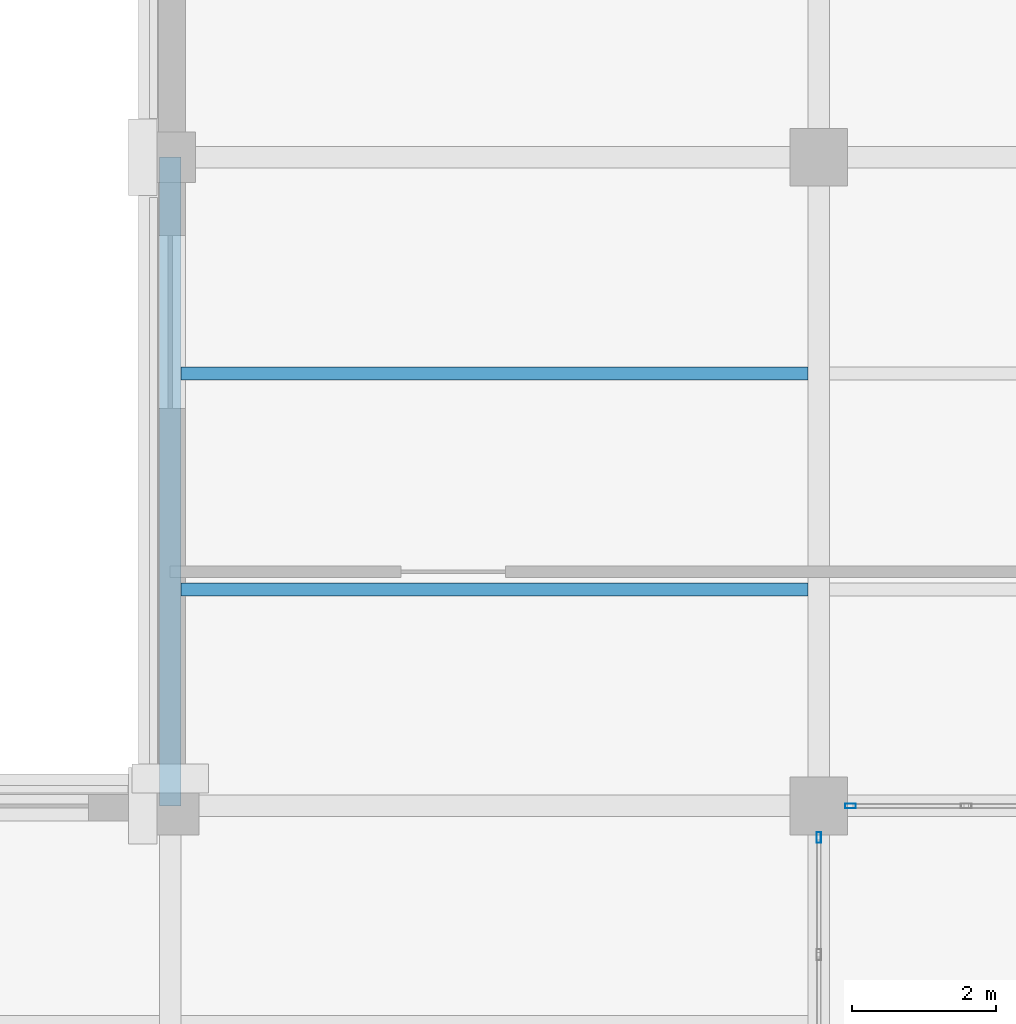
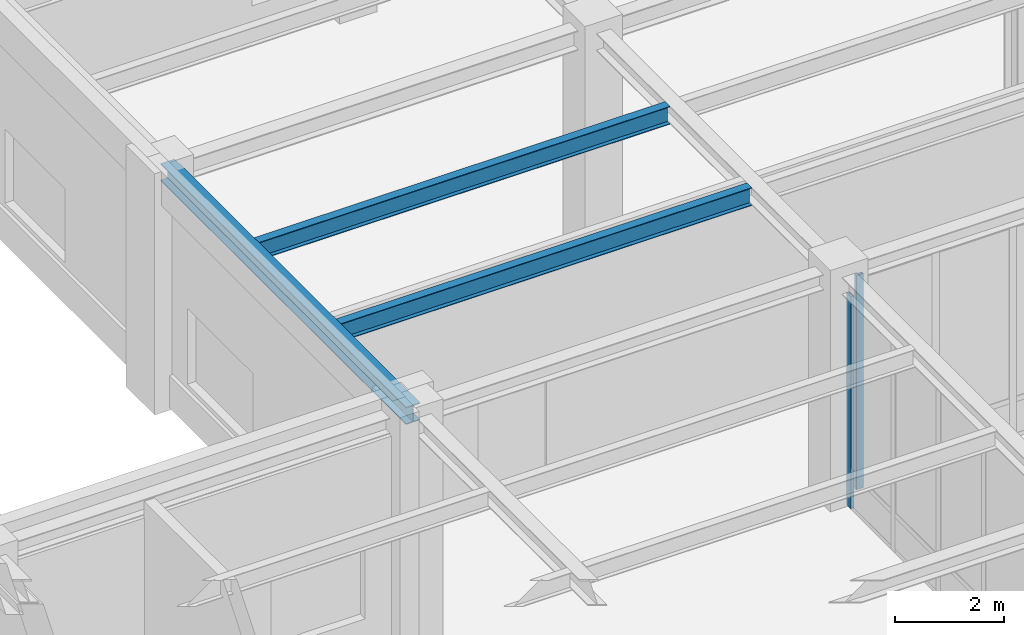
# One storey, part 47 of 77: 3 beams, 2 members, 2 elements without a shape of their own.
"""IFC4 building model written with IfcOpenShell, lengths in metres."""

import ifcopenshell
import ifcopenshell.guid

model = None  # the IFC model being written
_history = None  # IfcOwnerHistory: only IFC2X3 demands one
_inside = {}  # id of a spatial element -> (the spatial element, [elements in it])
_under = {}  # id of a project, library or spatial element -> (it, [spatial elements below it])
_declared = {}  # id of a project -> (the project, [libraries it declares])
_typed = {}  # id of a type object -> (the type object, [elements of that type])
_made_of = {}  # id of a material, layer set ... -> (it, [elements and type objects made of it])


def new_model(schema):
    """Start an empty IFC model of exactly this schema.

    Asked for "IFC4X3", IfcOpenShell would pick the latest addendum, in which some entities
    have other attributes; the version numbers below select the first issue.
    IFC2X3 requires an IfcOwnerHistory on every rooted entity: one is made here for all.
    """
    global model, _history
    if schema == "IFC4X3":
        model = ifcopenshell.file(schema_version=(4, 3, 0, 0))
    else:
        model = ifcopenshell.file(schema=schema)
    _inside.clear()
    _under.clear()
    _declared.clear()
    _typed.clear()
    _made_of.clear()
    _history = None
    if model.schema == "IFC2X3":
        org = make("IfcOrganization", Name="unknown")
        user = make(
            "IfcPersonAndOrganization",
            ThePerson=make("IfcPerson", FamilyName="unknown"),
            TheOrganization=org,
        )
        app = make(
            "IfcApplication",
            ApplicationDeveloper=org,
            Version="unknown",
            ApplicationFullName="unknown",
            ApplicationIdentifier="unknown",
        )
        _history = make(
            "IfcOwnerHistory",
            OwningUser=user,
            OwningApplication=app,
            ChangeAction="ADDED",
            CreationDate=0,
        )
    return model


def make(cls, **values):
    """One entity of the class cls with the attributes given. An attribute that is None is left unset."""
    return model.create_entity(
        cls, **{name: value for name, value in values.items() if value is not None}
    )


def rooted(cls, **values):
    """An entity with a GlobalId (a new one), such as an element, a storey or a relation."""
    return make(cls, GlobalId=ifcopenshell.guid.new(), OwnerHistory=_history, **values)


def si_unit(unit_type, name, prefix=None):
    """IfcSIUnit, for example si_unit("LENGTHUNIT", "METRE", prefix="MILLI")."""
    return make("IfcSIUnit", UnitType=unit_type, Prefix=prefix, Name=name)


def assignment(units):
    """IfcUnitAssignment: the units of a project."""
    return None if units is None else make("IfcUnitAssignment", Units=units)


def point(xyz):
    """IfcCartesianPoint."""
    return None if xyz is None else make("IfcCartesianPoint", Coordinates=xyz)


def direction(xyz):
    """IfcDirection."""
    return None if xyz is None else make("IfcDirection", DirectionRatios=xyz)


def frame(location, z_axis=None, x_axis=None):
    """IfcAxis2Placement3D, a coordinate frame: its origin and axes. An axis left out is left unset."""
    return make(
        "IfcAxis2Placement3D",
        Location=point(location),
        Axis=direction(z_axis),
        RefDirection=direction(x_axis),
    )


def frame_2d(location, x_axis=None):
    """IfcAxis2Placement2D, a coordinate frame in the plane: its origin and x axis."""
    return make(
        "IfcAxis2Placement2D", Location=point(location), RefDirection=direction(x_axis)
    )


def origin():
    """The frame at (0, 0, 0) with its axes left unset."""
    return frame((0.0, 0.0, 0.0))


def origin_2d():
    """The frame at (0, 0) in the plane with its x axis left unset."""
    return frame_2d((0.0, 0.0))


def place(relative_to, where):
    """IfcLocalPlacement: puts the frame where relative to a parent placement (None: the world)."""
    return make(
        "IfcLocalPlacement", PlacementRelTo=relative_to, RelativePlacement=where
    )


def context(
    kind, dimensions, precision=None, world=None, true_north=None, identifier=None
):
    """IfcGeometricRepresentationContext, for example the 3D "Model" context."""
    return make(
        "IfcGeometricRepresentationContext",
        ContextIdentifier=identifier,
        ContextType=kind,
        CoordinateSpaceDimension=dimensions,
        Precision=precision,
        WorldCoordinateSystem=world,
        TrueNorth=true_north,
    )


def subcontext(parent, identifier, kind, view, scale=None):
    """IfcGeometricRepresentationSubContext, for example "Body" below "Model"."""
    return make(
        "IfcGeometricRepresentationSubContext",
        ContextIdentifier=identifier,
        ContextType=kind,
        ParentContext=parent,
        TargetScale=scale,
        TargetView=view,
    )


def project(units=None, contexts=None):
    """IfcProject with its units and contexts."""
    return rooted(
        "IfcProject",
        Name="project",
        RepresentationContexts=contexts,
        UnitsInContext=assignment(units),
    )


def spatial(cls, under=None, at=None, **own):
    """A site, building, storey or space (cls), placed at a placement, below another one or the project."""
    s = rooted(cls, ObjectPlacement=at, **own)
    if under is not None:
        _under.setdefault(under.id(), (under, []))[1].append(s)
    return s


def profile(cls, at=None, kind="AREA", **sizes):
    """A parametric profile (cls). Its sizes go by their IFC names, for example OverallWidth=200.0."""
    return make(cls, ProfileType=kind, Position=at, **sizes)


def hollow_rectangle(**sizes):
    """IfcRectangleHollowProfileDef."""
    return profile("IfcRectangleHollowProfileDef", **sizes)


def i_section(**sizes):
    """IfcIShapeProfileDef."""
    return profile("IfcIShapeProfileDef", **sizes)


def extrude(swept, where, along, depth):
    """IfcExtrudedAreaSolid: the profile swept, set in the frame where, extruded along a direction by depth."""
    return make(
        "IfcExtrudedAreaSolid",
        SweptArea=swept,
        Position=where,
        ExtrudedDirection=direction(along),
        Depth=depth,
    )


def shape(context_of_items, identifier, shape_type, items):
    """IfcShapeRepresentation: the items that make up one representation, for example the "Body"."""
    return make(
        "IfcShapeRepresentation",
        ContextOfItems=context_of_items,
        RepresentationIdentifier=identifier,
        RepresentationType=shape_type,
        Items=items,
    )


def material(Name=None, Category=None):
    """IfcMaterial."""
    return make("IfcMaterial", Name=Name, Category=Category)


def material_profile(
    of_material, cross_section, Name=None, Category=None, Priority=None
):
    """IfcMaterialProfile: a cross section and its material."""
    return make(
        "IfcMaterialProfile",
        Name=Name,
        Material=of_material,
        Profile=cross_section,
        Priority=Priority,
        Category=Category,
    )


def profile_set(profiles, Name=None, composite=None):
    """IfcMaterialProfileSet."""
    return make(
        "IfcMaterialProfileSet",
        Name=Name,
        MaterialProfiles=profiles,
        CompositeProfile=composite,
    )


def made_of(thing, what):
    """Note that an element or type object is made of a material, layer set ...; save() writes the relation."""
    if what is not None:
        _made_of.setdefault(what.id(), (what, []))[1].append(thing)
    return thing


def type_object(cls, material=None, **own):
    """A type object (cls), such as IfcWallType, which elements share."""
    return made_of(rooted(cls, **own), material)


def element(
    cls,
    number,
    at=None,
    inside=None,
    cuts=None,
    type_object=None,
    material=None,
    context=None,
    identifier="Body",
    shape_type=None,
    held_by="IfcProductDefinitionShape",
    body=None,
    shapes=None,
    **own,
):
    """One element of the class cls, such as IfcWall. Its Tag is "e" and its number.

    at: its placement. inside: the storey or other place that contains it. cuts: it is an
    opening in that element (IfcRelVoidsElement). A single representation is given by context,
    identifier, shape_type and body (its items); several are given by shapes. held_by: the class
    of the entity that holds the representations. save() writes the other relations.
    """
    e = rooted(cls, Tag="e%d" % number, ObjectPlacement=at, **own)
    if body is not None:
        shapes = [shape(context, identifier, shape_type, body)]
    if shapes is not None:
        e.Representation = make(held_by, Representations=shapes)
    if inside is not None:
        _inside.setdefault(inside.id(), (inside, []))[1].append(e)
    if cuts is not None:
        rooted(
            "IfcRelVoidsElement", RelatingBuildingElement=cuts, RelatedOpeningElement=e
        )
    if type_object is not None:
        _typed.setdefault(type_object.id(), (type_object, []))[1].append(e)
    return made_of(e, material)


def aggregate(whole, parts):
    """IfcRelAggregates: a whole, such as a stair, and the parts it consists of."""
    return rooted("IfcRelAggregates", RelatingObject=whole, RelatedObjects=parts)


def save(model, path):
    """Write the relations noted so far, then the file.

    IfcRelAggregates (storeys below a building ...), IfcRelContainedInSpatialStructure (elements
    in a storey), IfcRelDefinesByType, IfcRelAssociatesMaterial and IfcRelDeclares: one each for
    every whole, place, type object, material and project.
    """
    for whole, parts in _under.values():
        aggregate(whole, parts)
    for where, things in _inside.values():
        rooted(
            "IfcRelContainedInSpatialStructure",
            RelatedElements=things,
            RelatingStructure=where,
        )
    for kind, things in _typed.values():
        rooted("IfcRelDefinesByType", RelatedObjects=things, RelatingType=kind)
    for what, things in _made_of.values():
        rooted("IfcRelAssociatesMaterial", RelatedObjects=things, RelatingMaterial=what)
    for by, libraries in _declared.values():
        rooted("IfcRelDeclares", RelatingContext=by, RelatedDefinitions=libraries)
    model.write(path)


model = new_model("IFC4")

# Units and contexts
model_context = context("Model", 3, precision=1e-05, world=origin(), true_north=direction((0.0, 1.0)))
body_context = subcontext(model_context, "Body", "Model", "MODEL_VIEW")
ifc_project = project(units=[si_unit("LENGTHUNIT", "METRE"), si_unit("AREAUNIT", "SQUARE_METRE"), si_unit("VOLUMEUNIT", "CUBIC_METRE"), si_unit("PLANEANGLEUNIT", "RADIAN"), si_unit("MASSUNIT", "GRAM", prefix="KILO")], contexts=[model_context])

# Site, building, storey
site_placement = place(None, origin())
site = spatial("IfcSite", under=ifc_project, at=site_placement, CompositionType="ELEMENT")
building_placement = place(site_placement, origin())
building = spatial("IfcBuilding", under=site, at=building_placement, Name="Lykobir Media Centre", CompositionType="ELEMENT")
storey_placement = place(building_placement, origin())
storey = spatial("IfcBuildingStorey", under=building, at=storey_placement, Name="L00", CompositionType="ELEMENT", Elevation=0.0)

# Beam
ifc_material_1 = material(Name="Steel S355", Category="steel")
ifc_material_profile_1 = material_profile(ifc_material_1, i_section(OverallWidth=0.300048828125, OverallDepth=0.389892578125, WebThickness=0.010986328125, FlangeThickness=0.01904296875, at=origin_2d()), Name="HEA 400")
ifc_profile_set_1 = profile_set([ifc_material_profile_1], Name="Steel S355")
beam_type_1 = type_object("IfcBeamType", Name="BM-HEA400", PredefinedType="BEAM", material=ifc_profile_set_1)
beam_placement = place(storey_placement, frame((99.0, 72.0, 4.965087890625), z_axis=(0.0, 1.0, 0.0), x_axis=(-1.0, 0.0, 0.0)))
element("IfcBeam", 1, at=beam_placement, inside=storey, type_object=beam_type_1, Name="Beam BM-L00-0990-0720-0990-0810-496", PredefinedType="BEAM", context=body_context, shape_type="SweptSolid", body=[
    extrude(i_section(OverallWidth=0.300048828125, OverallDepth=0.389892578125, WebThickness=0.010986328125, FlangeThickness=0.01904296875, at=origin_2d()), origin(), (0.0, 0.0, 1.0), 9.0),
])

# Curtain wall, member
ifc_material_2 = material(Name="Anodized Aluminium AW-6060", Category="aluminium")
curtain_wall_type = type_object("IfcCurtainWallType", Name="CW-COURT-A", PredefinedType="NOTDEFINED", material=ifc_material_2)
curtain_wall_1_placement = place(storey_placement, origin())
curtain_wall_1 = element("IfcCurtainWall", 2, at=curtain_wall_1_placement, inside=storey, type_object=curtain_wall_type, Name="Curtain wall CW2-L00-0007", PredefinedType="NOTDEFINED")
ifc_material_profile_2 = material_profile(ifc_material_2, hollow_rectangle(XDim=0.06494140625, YDim=0.14990234375, WallThickness=0.00341796875, at=origin_2d()), Name="ALU MULLION 65x150")
ifc_profile_set_2 = profile_set([ifc_material_profile_2], Name="Anodized Aluminium AW-6060")
member_type = type_object("IfcMemberType", Name="CWM-150", PredefinedType="MULLION", material=ifc_profile_set_2)
member_1_placement = place(storey_placement, frame((108.0, 71.5625, 0.0), z_axis=(0.0, 0.0, 1.0), x_axis=(1.0, 0.0, 0.0)))
member_1 = element("IfcMember", 3, at=member_1_placement, type_object=member_type, Name="CW2-L00-0007 mullion 1", PredefinedType="MULLION", context=body_context, shape_type="SweptSolid", body=[
    extrude(hollow_rectangle(XDim=0.06494140625, YDim=0.14990234375, WallThickness=0.00341796875, at=origin_2d()), origin(), (0.0, 0.0, 1.0), 4.7529296875),
])
aggregate(curtain_wall_1, [member_1])

curtain_wall_2_placement = place(storey_placement, origin())
curtain_wall_2 = element("IfcCurtainWall", 4, at=curtain_wall_2_placement, inside=storey, type_object=curtain_wall_type, Name="Curtain wall CW2-L00-0008", PredefinedType="NOTDEFINED")
member_2_placement = place(storey_placement, frame((108.4375, 72.0, 0.0), z_axis=(0.0, 0.0, 1.0), x_axis=(0.0, -1.0, 0.0)))
member_2 = element("IfcMember", 5, at=member_2_placement, type_object=member_type, Name="CW2-L00-0008 mullion 6", PredefinedType="MULLION", context=body_context, shape_type="SweptSolid", body=[
    extrude(hollow_rectangle(XDim=0.06494140625, YDim=0.14990234375, WallThickness=0.00341796875, at=origin_2d()), origin(), (0.0, 0.0, 1.0), 4.794921875),
])
aggregate(curtain_wall_2, [member_2])

# Beams
ifc_material_profile_3 = material_profile(ifc_material_1, i_section(OverallWidth=0.179931640625, OverallDepth=0.39990234375, WebThickness=0.008544921875, FlangeThickness=0.013427734375, at=origin_2d()), Name="IPE 400")
ifc_profile_set_3 = profile_set([ifc_material_profile_3], Name="Steel S355")
beam_type_2 = type_object("IfcBeamType", Name="JS-IPE400", PredefinedType="JOIST", material=ifc_profile_set_3)
for number, where, z_axis, x_axis, name in (
    (6, (99.14990234375, 75.0, 4.9599609375), (1.0, 0.0, 0.0), (0.0, 1.0, 0.0), "Beam BM-L00-0992-0750-1078-0750-496"),
    (7, (99.14990234375, 78.0, 4.9599609375), (1.0, 0.0, 0.0), (0.0, 1.0, 0.0), "Beam BM-L00-0992-0780-1078-0780-496"),
):
    element("IfcBeam", number, at=place(storey_placement, frame(where, z_axis=z_axis, x_axis=x_axis)), inside=storey, type_object=beam_type_2, Name=name, PredefinedType="JOIST", context=body_context, shape_type="SweptSolid", body=[
        extrude(i_section(OverallWidth=0.179931640625, OverallDepth=0.39990234375, WebThickness=0.008544921875, FlangeThickness=0.013427734375, at=origin_2d()), origin(), (0.0, 0.0, 1.0), 8.7001953125),
    ])

save(model, "model.ifc")
